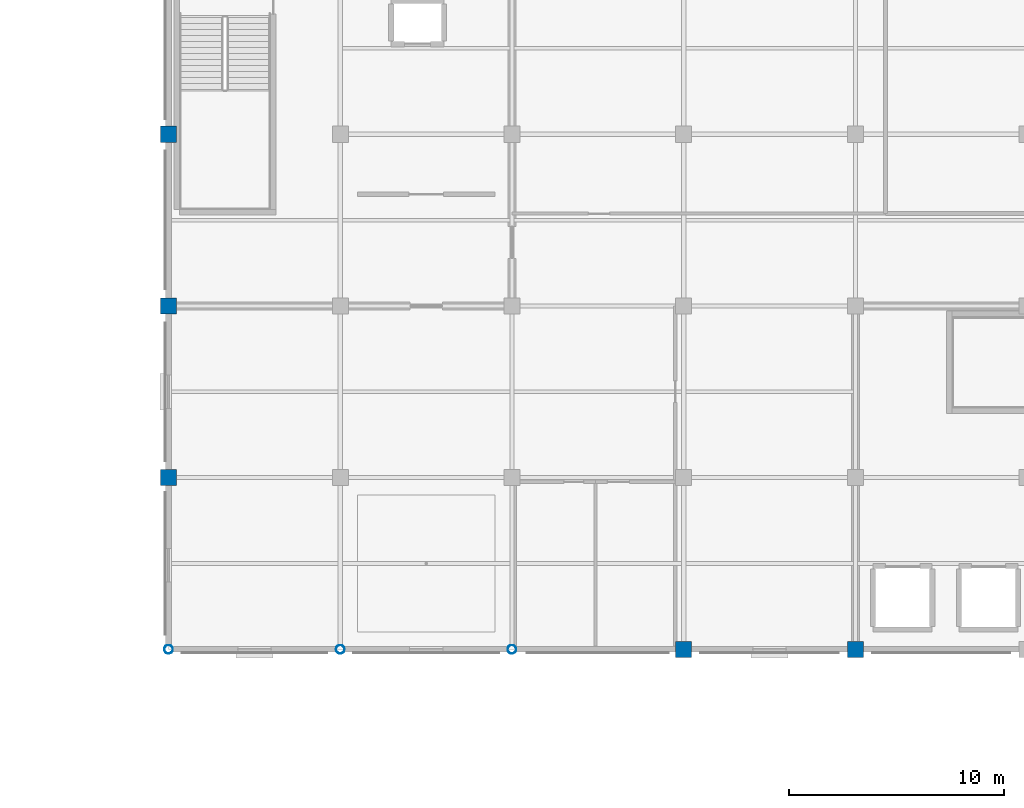
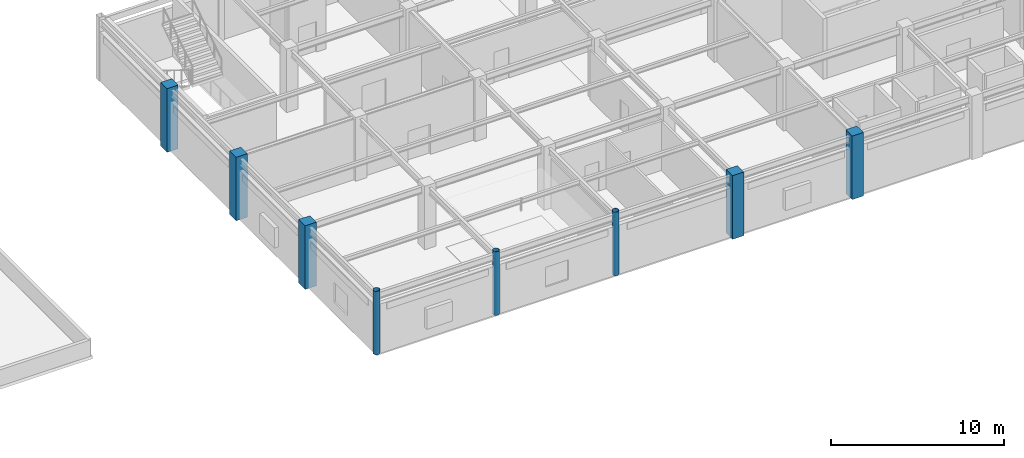
# One storey, part 5 of 42: 8 columns.
"""IFC4 building model written with IfcOpenShell, lengths in metres."""

from ifc_helpers import new_model, si_unit, direction, frame, origin, origin_2d, place, context, subcontext, project, spatial, rectangle, hollow_circle, extrude, material, material_profile, profile_set, type_object, element, save


model = new_model("IFC4")

# Units and contexts
model_context = context("Model", 3, precision=1e-05, world=origin(), true_north=direction((0.0, 1.0)))
body_context = subcontext(model_context, "Body", "Model", "MODEL_VIEW")
ifc_project = project(units=[si_unit("LENGTHUNIT", "METRE"), si_unit("AREAUNIT", "SQUARE_METRE"), si_unit("VOLUMEUNIT", "CUBIC_METRE"), si_unit("PLANEANGLEUNIT", "RADIAN"), si_unit("MASSUNIT", "GRAM", prefix="KILO")], contexts=[model_context])

# Site, building, storey
site_placement = place(None, origin())
site = spatial("IfcSite", under=ifc_project, at=site_placement, CompositionType="ELEMENT")
building_placement = place(site_placement, origin())
building = spatial("IfcBuilding", under=site, at=building_placement, Name="Solmirada Galleria", CompositionType="ELEMENT")
storey_placement = place(building_placement, frame((0.0, 0.0, 28.39990234375)))
storey = spatial("IfcBuildingStorey", under=building, at=storey_placement, Name="L06", CompositionType="ELEMENT", Elevation=28.39990234375)

# Columns
ifc_material_1 = material(Name="Steel S355 / ASTM A500 Grade C", Category="steel")
ifc_material_profile_1 = material_profile(ifc_material_1, hollow_circle(Radius=0.202880859375, WallThickness=0.01171875, at=origin_2d()), Name="HSS16.000X0.500")
ifc_profile_set_1 = profile_set([ifc_material_profile_1], Name="Steel S355 / ASTM A500 Grade C")
column_type_1 = type_object("IfcColumnType", Name="COL-CHS16", PredefinedType="COLUMN", material=ifc_profile_set_1)
for number, where, z_axis, x_axis, name in (
    (1, (128.0, 88.0, 0.0), (0.0, 0.0, 1.0), (1.0, 0.0, 0.0), "Structural column L06-1066"),
    (2, (136.0, 88.0, 0.0), (0.0, 0.0, 1.0), (1.0, 0.0, 0.0), "Structural column L06-1167"),
    (3, (144.0, 88.0, 0.0), (0.0, 0.0, 1.0), (1.0, 0.0, 0.0), "Structural column L06-1253"),
):
    element("IfcColumn", number, at=place(storey_placement, frame(where, z_axis=z_axis, x_axis=x_axis)), inside=storey, type_object=column_type_1, Name=name, PredefinedType="COLUMN", context=body_context, shape_type="SweptSolid", body=[
        extrude(hollow_circle(Radius=0.202880859375, WallThickness=0.01171875, at=origin_2d()), origin(), (0.0, 0.0, 1.0), 4.5),
    ])
ifc_material_2 = material(Name="Concrete C40/50", Category="concrete")
ifc_material_profile_2 = material_profile(ifc_material_2, rectangle(XDim=0.75, YDim=0.75, at=origin_2d()), Name="RC750X750")
ifc_profile_set_2 = profile_set([ifc_material_profile_2], Name="Concrete C40/50")
column_type_2 = type_object("IfcColumnType", Name="COL-RC750", PredefinedType="COLUMN", material=ifc_profile_set_2)
for number, where, z_axis, x_axis, name in (
    (4, (128.0, 96.0, 0.0), (0.0, 0.0, 1.0), (1.0, 0.0, 0.0), "Structural column L06-1075"),
    (5, (128.0, 104.0, 0.0), (0.0, 0.0, 1.0), (1.0, 0.0, 0.0), "Structural column L06-1084"),
    (6, (128.0, 112.0, 0.0), (0.0, 0.0, 1.0), (1.0, 0.0, 0.0), "Structural column L06-1093"),
    (7, (152.0, 88.0, 0.0), (0.0, 0.0, 1.0), (1.0, 0.0, 0.0), "Structural column L06-1326"),
    (8, (160.0, 88.0, 0.0), (0.0, 0.0, 1.0), (1.0, 0.0, 0.0), "Structural column L06-1399"),
):
    element("IfcColumn", number, at=place(storey_placement, frame(where, z_axis=z_axis, x_axis=x_axis)), inside=storey, type_object=column_type_2, Name=name, PredefinedType="COLUMN", context=body_context, shape_type="SweptSolid", body=[
        extrude(rectangle(XDim=0.75, YDim=0.75, at=origin_2d()), origin(), (0.0, 0.0, 1.0), 4.5),
    ])

save(model, "model.ifc")
